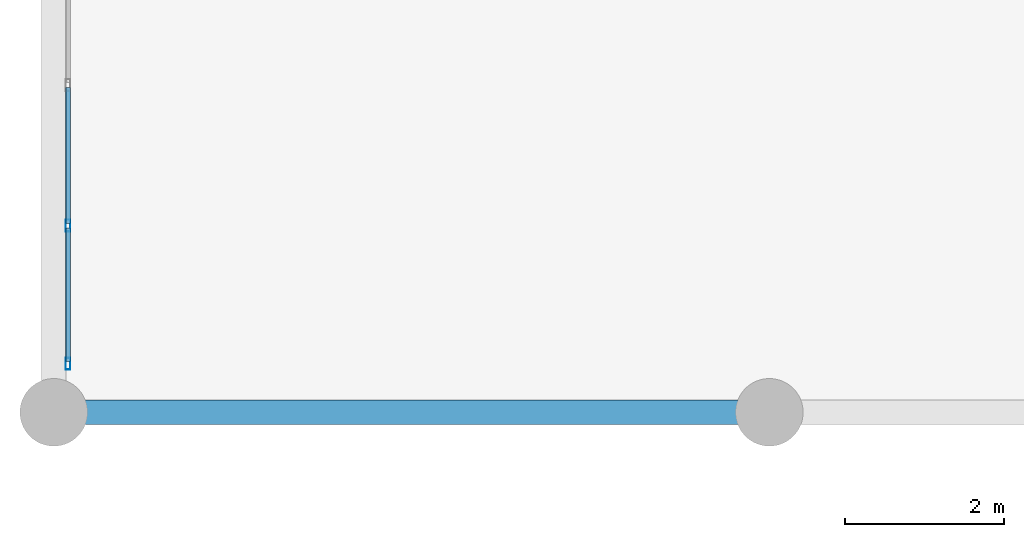
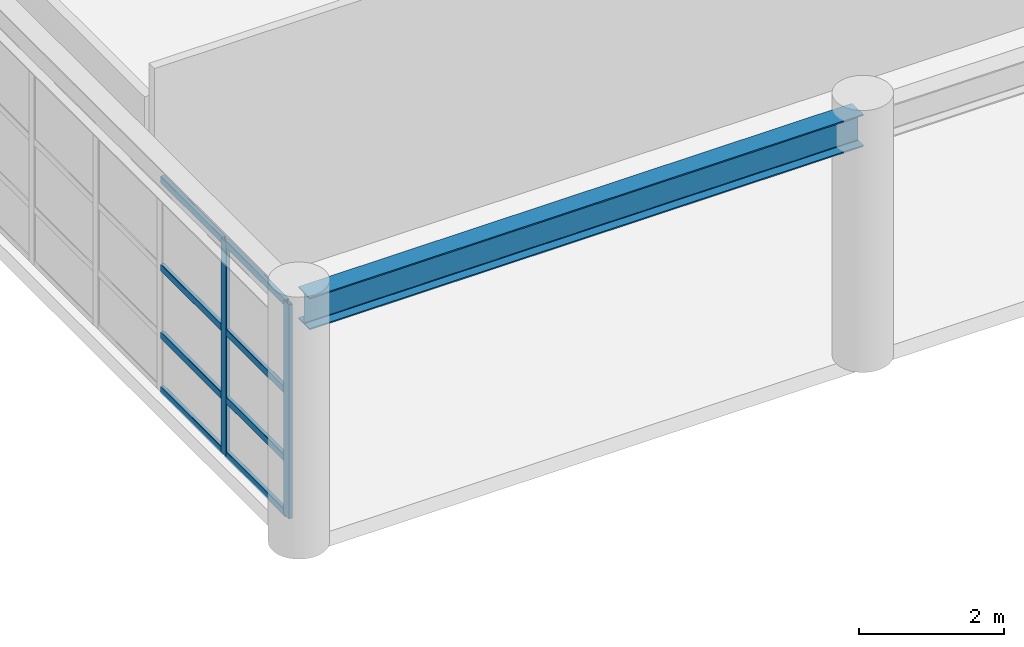
# One storey, part 50 of 133: 10 members, 1 beam, 1 element without a shape of its own.
"""IFC4 building model written with IfcOpenShell, lengths in metres."""

from ifc_helpers import new_model, si_unit, direction, frame, origin, origin_2d, place, context, subcontext, project, spatial, hollow_rectangle, i_section, extrude, material, material_profile, profile_set, type_object, element, aggregate, save


model = new_model("IFC4")

# Units and contexts
model_context = context("Model", 3, precision=1e-05, world=origin(), true_north=direction((0.0, 1.0)))
body_context = subcontext(model_context, "Body", "Model", "MODEL_VIEW")
ifc_project = project(units=[si_unit("LENGTHUNIT", "METRE"), si_unit("AREAUNIT", "SQUARE_METRE"), si_unit("VOLUMEUNIT", "CUBIC_METRE"), si_unit("PLANEANGLEUNIT", "RADIAN"), si_unit("MASSUNIT", "GRAM", prefix="KILO")], contexts=[model_context])

# Site, building, storey
site_placement = place(None, origin())
site = spatial("IfcSite", under=ifc_project, at=site_placement, CompositionType="ELEMENT")
building_placement = place(site_placement, origin())
building = spatial("IfcBuilding", under=site, at=building_placement, Name="Miravela Opera House", CompositionType="ELEMENT")
storey_placement = place(building_placement, frame((0.0, 0.0, 5.10009765625)))
storey = spatial("IfcBuildingStorey", under=building, at=storey_placement, Name="L01", CompositionType="ELEMENT", Elevation=5.10009765625)

# Curtain wall, members
ifc_material_1 = material(Name="Anodised architectural bronze aluminium 6063-T6", Category="aluminium")
curtain_wall_type = type_object("IfcCurtainWallType", Name="ARC-CW-07", PredefinedType="NOTDEFINED", material=ifc_material_1)
curtain_wall_placement = place(storey_placement, origin())
curtain_wall = element("IfcCurtainWall", 1, at=curtain_wall_placement, inside=storey, type_object=curtain_wall_type, Name="Courtyard Arcade Curtain Wall CW-L01-199", PredefinedType="NOTDEFINED")
ifc_material_profile_1 = material_profile(ifc_material_1, hollow_rectangle(XDim=0.06005859375, YDim=0.14990234375, WallThickness=0.00390625, InnerFilletRadius=0.001953125, OuterFilletRadius=0.00390625, at=origin_2d()), Name="CWM-60X150")
ifc_profile_set_1 = profile_set([ifc_material_profile_1])
member_type_1 = type_object("IfcMemberType", Name="ARC-CWM-150", PredefinedType="MULLION", material=ifc_profile_set_1)
member_1_placement = place(storey_placement, frame((0.179931640625, 84.610107421875, 0.0), z_axis=(0.0, 0.0, 1.0), x_axis=(-1.0, 0.0, 0.0)))
member_1 = element("IfcMember", 2, at=member_1_placement, type_object=member_type_1, Name="CW-07 mullion 1", PredefinedType="MULLION", context=body_context, shape_type="SweptSolid", body=[
    extrude(hollow_rectangle(XDim=0.06005859375, YDim=0.14990234375, WallThickness=0.00390625, InnerFilletRadius=0.001953125, OuterFilletRadius=0.00390625, at=origin_2d()), origin(), (0.0, 0.0, 1.0), 3.60986328125),
])
member_2_placement = place(storey_placement, frame((0.179931640625, 86.347900390625, 0.0), z_axis=(0.0, 0.0, 1.0), x_axis=(-1.0, 0.0, 0.0)))
member_2 = element("IfcMember", 3, at=member_2_placement, type_object=member_type_1, Name="CW-07 mullion 2", PredefinedType="MULLION", context=body_context, shape_type="SweptSolid", body=[
    extrude(hollow_rectangle(XDim=0.06005859375, YDim=0.14990234375, WallThickness=0.00390625, InnerFilletRadius=0.001953125, OuterFilletRadius=0.00390625, at=origin_2d()), origin(), (0.0, 0.0, 1.0), 3.60986328125),
])
ifc_material_profile_2 = material_profile(ifc_material_1, hollow_rectangle(XDim=0.06005859375, YDim=0.114990234375, WallThickness=0.00390625, InnerFilletRadius=0.001953125, OuterFilletRadius=0.00390625, at=origin_2d()), Name="CWT-60X115")
ifc_profile_set_2 = profile_set([ifc_material_profile_2])
member_type_2 = type_object("IfcMemberType", Name="ARC-CWT-115", PredefinedType="USERDEFINED", material=ifc_profile_set_2)
member_3_placement = place(storey_placement, frame((0.179931640625, 84.639892578125, 0.02978515625), z_axis=(0.0, 1.0, 0.0), x_axis=(-1.0, 0.0, 0.0)))
member_3 = element("IfcMember", 4, at=member_3_placement, type_object=member_type_2, Name="CW-07 transom 1.1", ObjectType="TRANSOM", PredefinedType="USERDEFINED", context=body_context, shape_type="SweptSolid", body=[
    extrude(hollow_rectangle(XDim=0.06005859375, YDim=0.114990234375, WallThickness=0.00390625, InnerFilletRadius=0.001953125, OuterFilletRadius=0.00390625, at=origin_2d()), origin(), (0.0, 0.0, 1.0), 1.67822265625),
])
member_4_placement = place(storey_placement, frame((0.179931640625, 84.639892578125, 0.949951171875), z_axis=(0.0, 1.0, 0.0), x_axis=(-1.0, 0.0, 0.0)))
member_4 = element("IfcMember", 5, at=member_4_placement, type_object=member_type_2, Name="CW-07 transom 1.2", ObjectType="TRANSOM", PredefinedType="USERDEFINED", context=body_context, shape_type="SweptSolid", body=[
    extrude(hollow_rectangle(XDim=0.06005859375, YDim=0.114990234375, WallThickness=0.00390625, InnerFilletRadius=0.001953125, OuterFilletRadius=0.00390625, at=origin_2d()), origin(), (0.0, 0.0, 1.0), 1.67822265625),
])
member_5_placement = place(storey_placement, frame((0.179931640625, 84.639892578125, 2.09375), z_axis=(0.0, 1.0, 0.0), x_axis=(-1.0, 0.0, 0.0)))
member_5 = element("IfcMember", 6, at=member_5_placement, type_object=member_type_2, Name="CW-07 transom 1.3", ObjectType="TRANSOM", PredefinedType="USERDEFINED", context=body_context, shape_type="SweptSolid", body=[
    extrude(hollow_rectangle(XDim=0.06005859375, YDim=0.114990234375, WallThickness=0.00390625, InnerFilletRadius=0.001953125, OuterFilletRadius=0.00390625, at=origin_2d()), origin(), (0.0, 0.0, 1.0), 1.67822265625),
])
member_6_placement = place(storey_placement, frame((0.179931640625, 84.639892578125, 3.579833984375), z_axis=(0.0, 1.0, 0.0), x_axis=(-1.0, 0.0, 0.0)))
member_6 = element("IfcMember", 7, at=member_6_placement, type_object=member_type_2, Name="CW-07 transom 1.4", ObjectType="TRANSOM", PredefinedType="USERDEFINED", context=body_context, shape_type="SweptSolid", body=[
    extrude(hollow_rectangle(XDim=0.06005859375, YDim=0.114990234375, WallThickness=0.00390625, InnerFilletRadius=0.001953125, OuterFilletRadius=0.00390625, at=origin_2d()), origin(), (0.0, 0.0, 1.0), 1.67822265625),
])
member_7_placement = place(storey_placement, frame((0.179931640625, 86.3779296875, 0.02978515625), z_axis=(0.0, 1.0, 0.0), x_axis=(-1.0, 0.0, 0.0)))
member_7 = element("IfcMember", 8, at=member_7_placement, type_object=member_type_2, Name="CW-07 transom 2.1", ObjectType="TRANSOM", PredefinedType="USERDEFINED", context=body_context, shape_type="SweptSolid", body=[
    extrude(hollow_rectangle(XDim=0.06005859375, YDim=0.114990234375, WallThickness=0.00390625, InnerFilletRadius=0.001953125, OuterFilletRadius=0.00390625, at=origin_2d()), origin(), (0.0, 0.0, 1.0), 1.7080078125),
])
member_8_placement = place(storey_placement, frame((0.179931640625, 86.3779296875, 0.949951171875), z_axis=(0.0, 1.0, 0.0), x_axis=(-1.0, 0.0, 0.0)))
member_8 = element("IfcMember", 9, at=member_8_placement, type_object=member_type_2, Name="CW-07 transom 2.2", ObjectType="TRANSOM", PredefinedType="USERDEFINED", context=body_context, shape_type="SweptSolid", body=[
    extrude(hollow_rectangle(XDim=0.06005859375, YDim=0.114990234375, WallThickness=0.00390625, InnerFilletRadius=0.001953125, OuterFilletRadius=0.00390625, at=origin_2d()), origin(), (0.0, 0.0, 1.0), 1.7080078125),
])
member_9_placement = place(storey_placement, frame((0.179931640625, 86.3779296875, 2.09375), z_axis=(0.0, 1.0, 0.0), x_axis=(-1.0, 0.0, 0.0)))
member_9 = element("IfcMember", 10, at=member_9_placement, type_object=member_type_2, Name="CW-07 transom 2.3", ObjectType="TRANSOM", PredefinedType="USERDEFINED", context=body_context, shape_type="SweptSolid", body=[
    extrude(hollow_rectangle(XDim=0.06005859375, YDim=0.114990234375, WallThickness=0.00390625, InnerFilletRadius=0.001953125, OuterFilletRadius=0.00390625, at=origin_2d()), origin(), (0.0, 0.0, 1.0), 1.7080078125),
])
member_10_placement = place(storey_placement, frame((0.179931640625, 86.3779296875, 3.579833984375), z_axis=(0.0, 1.0, 0.0), x_axis=(-1.0, 0.0, 0.0)))
member_10 = element("IfcMember", 11, at=member_10_placement, type_object=member_type_2, Name="CW-07 transom 2.4", ObjectType="TRANSOM", PredefinedType="USERDEFINED", context=body_context, shape_type="SweptSolid", body=[
    extrude(hollow_rectangle(XDim=0.06005859375, YDim=0.114990234375, WallThickness=0.00390625, InnerFilletRadius=0.001953125, OuterFilletRadius=0.00390625, at=origin_2d()), origin(), (0.0, 0.0, 1.0), 1.7080078125),
])
aggregate(curtain_wall, [member_1, member_2, member_3, member_4, member_5, member_6, member_7, member_8, member_9, member_10])

# Beam
ifc_material_2 = material(Name="Structural steel ASTM A992 Gr. 50", Category="steel")
ifc_material_profile_3 = material_profile(ifc_material_2, i_section(OverallWidth=0.31201171875, OverallDepth=0.54296875, WebThickness=0.0126953125, FlangeThickness=0.020263671875, FilletRadius=0.01611328125, at=origin_2d()), Name="W530X150")
ifc_profile_set_3 = profile_set([ifc_material_profile_3])
beam_type = type_object("IfcBeamType", Name="STR-BM-W530X150", PredefinedType="BEAM", material=ifc_profile_set_3)
beam_placement = place(storey_placement, frame((0.080078125, 84.0, 3.908447265625), z_axis=(1.0, 0.0, 0.0), x_axis=(0.0, 1.0, 0.0)))
element("IfcBeam", 12, at=beam_placement, inside=storey, type_object=beam_type, Name="Roof King-Post Transverse Tie Girder ROOF-V5-NORTH T0.1", PredefinedType="BEAM", context=body_context, shape_type="SweptSolid", body=[
    extrude(i_section(OverallWidth=0.31201171875, OverallDepth=0.54296875, WebThickness=0.0126953125, FlangeThickness=0.020263671875, FilletRadius=0.01611328125, at=origin_2d()), origin(), (0.0, 0.0, 1.0), 8.83984375),
])

save(model, "model.ifc")
